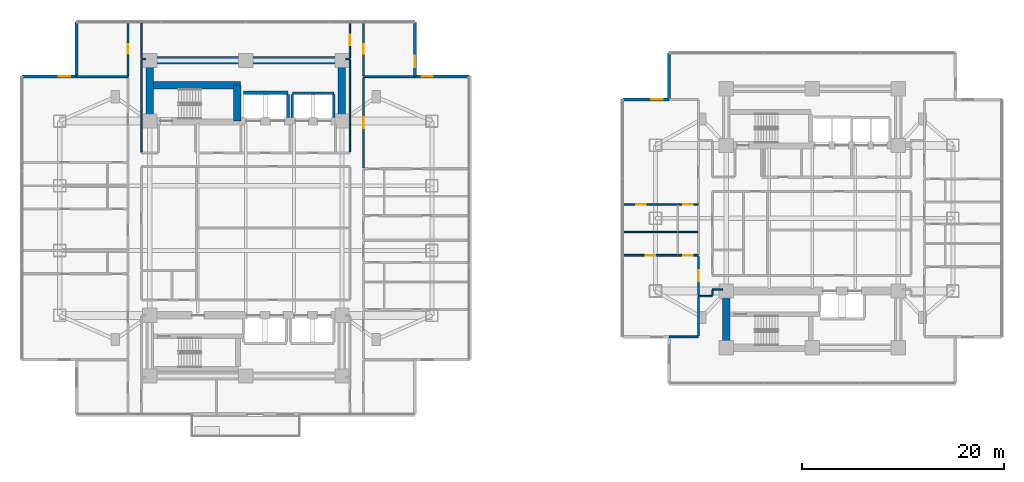
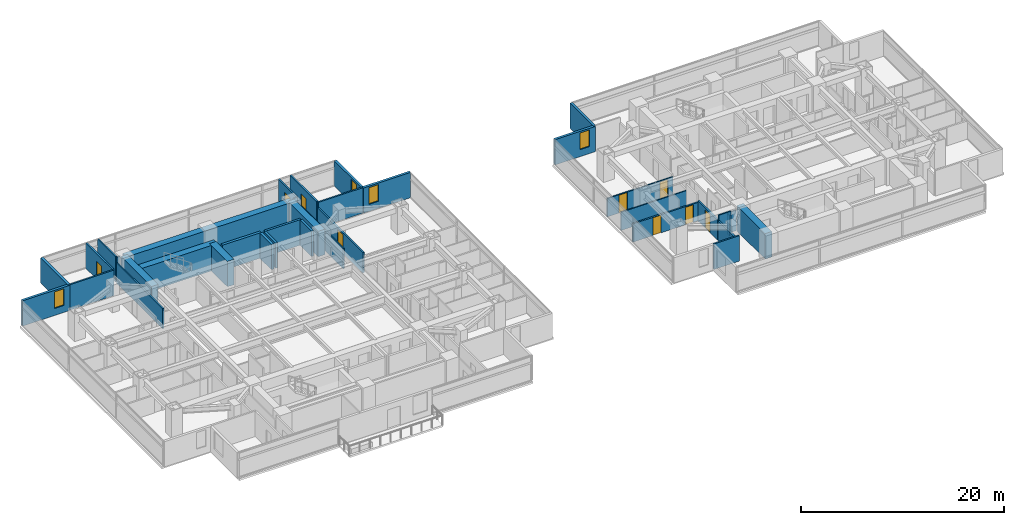
# One storey, part 16 of 25: 37 walls, 9 doors, 4 windows, 13 openings.
"""IFC4 building model written with IfcOpenShell, lengths in metres."""

from ifc_helpers import new_model, si_unit, direction, frame, frame_2d, origin, place, context, subcontext, project, spatial, rectangle, extrude, material, layer, layer_set, type_object, element, fill, save


model = new_model("IFC4")

# Units and contexts
model_context = context("Model", 3, precision=1e-05, world=origin(), true_north=direction((0.0, 1.0)))
body_context = subcontext(model_context, "Body", "Model", "MODEL_VIEW")
ifc_project = project(units=[si_unit("LENGTHUNIT", "METRE"), si_unit("AREAUNIT", "SQUARE_METRE"), si_unit("VOLUMEUNIT", "CUBIC_METRE"), si_unit("PLANEANGLEUNIT", "RADIAN"), si_unit("MASSUNIT", "GRAM", prefix="KILO")], contexts=[model_context])

# Site, building, storey
site_placement = place(None, origin())
site = spatial("IfcSite", under=ifc_project, at=site_placement, CompositionType="ELEMENT")
building_placement = place(site_placement, origin())
building = spatial("IfcBuilding", under=site, at=building_placement, Name="Mirazonda Arch Towers", CompositionType="ELEMENT")
storey_placement = place(building_placement, frame((0.0, 0.0, 35.60009765625)))
storey = spatial("IfcBuildingStorey", under=building, at=storey_placement, Name="L09", CompositionType="ELEMENT", Elevation=35.60009765625)

# Walls
ifc_material_1 = material(Name="Concrete C60/75", Category="concrete")
ifc_layer_1 = layer(ifc_material_1, 0.75, Name="WALL-CORE-750")
ifc_layer_set_1 = layer_set([ifc_layer_1], Name="Concrete C60/75")
wall_type_1 = type_object("IfcWallType", Name="WALL-CORE-750", PredefinedType="SHEAR", material=ifc_layer_set_1)
wall_1_placement = place(storey_placement, frame((11.0, 43.60009765625, 0.0), z_axis=(0.0, 0.0, 1.0), x_axis=(1.0, 0.0, 0.0)))
element("IfcWall", 1, at=wall_1_placement, inside=storey, type_object=wall_type_1, Name="L09 T1N-N Core Shear Wall", PredefinedType="SHEAR", context=body_context, shape_type="SweptSolid", body=[
    extrude(rectangle(XDim=19.0, YDim=0.75, at=frame_2d((9.5, 0.0))), origin(), (0.0, 0.0, 1.0), 3.059814453125),
])
for number, where, z_axis, x_axis, name in (
    (2, (11.0, 37.60009765625, 0.0), (0.0, 0.0, 1.0), (0.0, 1.0, 0.0), "L09 T1N-W Core Shear Wall"),
    (3, (30.0, 37.60009765625, 0.0), (0.0, 0.0, 1.0), (0.0, 1.0, 0.0), "L09 T1N-E Core Shear Wall"),
):
    element("IfcWall", number, at=place(storey_placement, frame(where, z_axis=z_axis, x_axis=x_axis)), inside=storey, type_object=wall_type_1, Name=name, PredefinedType="SHEAR", context=body_context, shape_type="SweptSolid", body=[
        extrude(rectangle(XDim=6.0, YDim=0.75, at=frame_2d((3.0, 0.0))), origin(), (0.0, 0.0, 1.0), 3.059814453125),
    ])
wall_2_placement = place(storey_placement, frame((11.0, 41.14306640625, 0.0), z_axis=(0.0, 0.0, 1.0), x_axis=(1.0, 0.0, 0.0)))
element("IfcWall", 4, at=wall_2_placement, inside=storey, type_object=wall_type_1, Name="L09 T1N-STN Core Shear Wall", PredefinedType="SHEAR", context=body_context, shape_type="SweptSolid", body=[
    extrude(rectangle(XDim=9.0, YDim=0.75, at=frame_2d((4.5, 0.0))), origin(), (0.0, 0.0, 1.0), 3.059814453125),
])
wall_3_placement = place(storey_placement, frame((19.64990234375, 37.60009765625, 0.0), z_axis=(0.0, 0.0, 1.0), x_axis=(0.0, 1.0, 0.0)))
element("IfcWall", 5, at=wall_3_placement, inside=storey, type_object=wall_type_1, Name="L09 T1N-STE Core Shear Wall", PredefinedType="SHEAR", context=body_context, shape_type="SweptSolid", body=[
    extrude(rectangle(XDim=3.54296875, YDim=0.75, at=frame_2d((1.771484375, 0.0))), origin(), (0.0, 0.0, 1.0), 3.059814453125),
])
wall_4_placement = place(storey_placement, frame((68.0, 15.199951171875, 0.0), z_axis=(0.0, 0.0, 1.0), x_axis=(0.0, 1.0, 0.0)))
element("IfcWall", 6, at=wall_4_placement, inside=storey, type_object=wall_type_1, Name="L09 T2S-W Core Shear Wall", PredefinedType="SHEAR", context=body_context, shape_type="SweptSolid", body=[
    extrude(rectangle(XDim=5.60009765625, YDim=0.75, at=frame_2d((2.800048828125, 0.0))), origin(), (0.0, 0.0, 1.0), 3.059814453125),
])

# Wall, opening, window
ifc_material_2 = material(Name="Precast Concrete C40/50", Category="concrete")
ifc_layer_2 = layer(ifc_material_2, 0.280029296875, Name="WALL-EXT-WALL-280")
ifc_layer_set_2 = layer_set([ifc_layer_2], Name="Precast Concrete C40/50")
wall_type_2 = type_object("IfcWallType", Name="WALL-EXT-WALL-280", PredefinedType="SOLIDWALL", material=ifc_layer_set_2)
wall_5_placement = place(storey_placement, frame((37.219970703125, 41.991943359375, 0.0), z_axis=(0.0, 0.0, 1.0), x_axis=(0.0, 1.0, 0.0)))
wall_5 = element("IfcWall", 7, at=wall_5_placement, inside=storey, type_object=wall_type_2, Name="L09 T1 Notched NE Corner Wall WL-L09-T1-CNE", PredefinedType="SOLIDWALL", context=body_context, shape_type="SweptSolid", body=[
    extrude(rectangle(XDim=5.380126953125, YDim=0.280029296875, at=frame_2d((2.68994140625, 0.0))), origin(), (0.0, 0.0, 1.0), 3.039794921875),
])
opening_1_placement = place(wall_5_placement, frame((0.949951171875, 0.0, 0.85009765625)))
opening_1 = element("IfcOpeningElement", 8, at=opening_1_placement, cuts=wall_5, Name="Opening WN-108", PredefinedType="OPENING", context=body_context, shape_type="SweptSolid", body=[
    extrude(rectangle(XDim=1.10009765625, YDim=2.0, at=frame_2d((0.550048828125, 1.0))), frame((0.0, 0.14990234375, 0.0), z_axis=(0.0, -1.0, 0.0), x_axis=(1.0, 0.0, 0.0)), (0.0, 0.0, 1.0), 0.300048828125),
])
ifc_material_3 = material(Name="Insulated Low-E Solar Glass", Category="glass")
window_type = type_object("IfcWindowType", Name="WIN-NOTCH-1100x2000", PartitioningType="SINGLE_PANEL", PredefinedType="WINDOW", material=ifc_material_3)
window_1_placement = place(opening_1_placement, origin())
window_1 = element("IfcWindow", 9, at=window_1_placement, inside=storey, type_object=window_type, Name="L09 Punched Facade Window WN-L09-T1-CNE", OverallHeight=2.0, OverallWidth=1.10009765625, PartitioningType="SINGLE_PANEL", PredefinedType="WINDOW", context=body_context, shape_type="SweptSolid", body=[
    extrude(rectangle(XDim=1.10009765625, YDim=2.0, at=frame_2d((0.550048828125, 1.0))), frame((0.0, 0.030029296875, 0.0), z_axis=(0.0, -1.0, 0.0), x_axis=(1.0, 0.0, 0.0)), (0.0, 0.0, 1.0), 0.06005859375),
])
fill(opening_1, window_1)

wall_6_placement = place(storey_placement, frame((3.780029296875, 41.991943359375, 0.0), z_axis=(0.0, 0.0, 1.0), x_axis=(-1.0, 0.0, 0.0)))
wall_6 = element("IfcWall", 10, at=wall_6_placement, inside=storey, type_object=wall_type_2, Name="L09 T1 Corner Notch Return Wall WL-L09-T1-CNW1", PredefinedType="SOLIDWALL", context=body_context, shape_type="SweptSolid", body=[
    extrude(rectangle(XDim=5.380126953125, YDim=0.280029296875, at=frame_2d((2.68994140625, 0.0))), origin(), (0.0, 0.0, 1.0), 3.039794921875),
])
opening_2_placement = place(wall_6_placement, frame((0.64990234375, 0.0, 0.85009765625)))
opening_2 = element("IfcOpeningElement", 11, at=opening_2_placement, cuts=wall_6, Name="Opening WN-108", PredefinedType="OPENING", context=body_context, shape_type="SweptSolid", body=[
    extrude(rectangle(XDim=1.10009765625, YDim=2.0, at=frame_2d((0.550048828125, 1.0))), frame((0.0, 0.14990234375, 0.0), z_axis=(0.0, -1.0, 0.0), x_axis=(1.0, 0.0, 0.0)), (0.0, 0.0, 1.0), 0.300048828125),
])
window_2_placement = place(opening_2_placement, origin())
window_2 = element("IfcWindow", 12, at=window_2_placement, inside=storey, type_object=window_type, Name="L09 Punched Facade Window WN-L09-T1-CNW1", OverallHeight=2.0, OverallWidth=1.10009765625, PartitioningType="SINGLE_PANEL", PredefinedType="WINDOW", context=body_context, shape_type="SweptSolid", body=[
    extrude(rectangle(XDim=1.10009765625, YDim=2.0, at=frame_2d((0.550048828125, 1.0))), frame((0.0, 0.030029296875, 0.0), z_axis=(0.0, -1.0, 0.0), x_axis=(1.0, 0.0, 0.0)), (0.0, 0.0, 1.0), 0.06005859375),
])
fill(opening_2, window_2)

# Wall
wall_7_placement = place(storey_placement, frame((3.780029296875, 47.3720703125, 0.0), z_axis=(0.0, 0.0, 1.0), x_axis=(0.0, -1.0, 0.0)))
element("IfcWall", 13, at=wall_7_placement, inside=storey, type_object=wall_type_2, Name="L09 T1 Corner Notch Return Wall WL-L09-T1-CNW2", PredefinedType="SOLIDWALL", context=body_context, shape_type="SweptSolid", body=[
    extrude(rectangle(XDim=5.380126953125, YDim=0.280029296875, at=frame_2d((2.68994140625, 0.0))), origin(), (0.0, 0.0, 1.0), 3.039794921875),
])

# Wall, opening, window
wall_8_placement = place(storey_placement, frame((42.60009765625, 41.991943359375, 0.0), z_axis=(0.0, 0.0, 1.0), x_axis=(-1.0, 0.0, 0.0)))
wall_8 = element("IfcWall", 14, at=wall_8_placement, inside=storey, type_object=wall_type_2, Name="L09 T1 Corner Notch Return Wall WL-L09-T1-CNE2", PredefinedType="SOLIDWALL", context=body_context, shape_type="SweptSolid", body=[
    extrude(rectangle(XDim=5.380126953125, YDim=0.280029296875, at=frame_2d((2.68994140625, 0.0))), origin(), (0.0, 0.0, 1.0), 3.039794921875),
])
opening_3_placement = place(wall_8_placement, frame((3.6298828125, 0.0, 0.85009765625)))
opening_3 = element("IfcOpeningElement", 15, at=opening_3_placement, cuts=wall_8, Name="Opening WN-108", PredefinedType="OPENING", context=body_context, shape_type="SweptSolid", body=[
    extrude(rectangle(XDim=1.10009765625, YDim=2.0, at=frame_2d((0.550048828125, 1.0))), frame((0.0, 0.14990234375, 0.0), z_axis=(0.0, -1.0, 0.0), x_axis=(1.0, 0.0, 0.0)), (0.0, 0.0, 1.0), 0.300048828125),
])
window_3_placement = place(opening_3_placement, origin())
window_3 = element("IfcWindow", 16, at=window_3_placement, inside=storey, type_object=window_type, Name="L09 Punched Facade Window WN-L09-T1-CNE2", OverallHeight=2.0, OverallWidth=1.10009765625, PartitioningType="SINGLE_PANEL", PredefinedType="WINDOW", context=body_context, shape_type="SweptSolid", body=[
    extrude(rectangle(XDim=1.10009765625, YDim=2.0, at=frame_2d((0.550048828125, 1.0))), frame((0.0, 0.030029296875, 0.0), z_axis=(0.0, -1.0, 0.0), x_axis=(1.0, 0.0, 0.0)), (0.0, 0.0, 1.0), 0.06005859375),
])
fill(opening_3, window_3)

wall_9_placement = place(storey_placement, frame((62.347900390625, 39.733154296875, 0.0), z_axis=(0.0, 0.0, 1.0), x_axis=(-1.0, 0.0, 0.0)))
wall_9 = element("IfcWall", 17, at=wall_9_placement, inside=storey, type_object=wall_type_2, Name="L09 T2 Corner Notch Return Wall WL-L09-T2-CNW1", PredefinedType="SOLIDWALL", context=body_context, shape_type="SweptSolid", body=[
    extrude(rectangle(XDim=4.579833984375, YDim=0.280029296875, at=frame_2d((2.2900390625, 0.0))), origin(), (0.0, 0.0, 1.0), 3.039794921875),
])
opening_4_placement = place(wall_9_placement, frame((0.64990234375, 0.0, 0.85009765625)))
opening_4 = element("IfcOpeningElement", 18, at=opening_4_placement, cuts=wall_9, Name="Opening WN-108", PredefinedType="OPENING", context=body_context, shape_type="SweptSolid", body=[
    extrude(rectangle(XDim=1.10009765625, YDim=2.0, at=frame_2d((0.550048828125, 1.0))), frame((0.0, 0.14990234375, 0.0), z_axis=(0.0, -1.0, 0.0), x_axis=(1.0, 0.0, 0.0)), (0.0, 0.0, 1.0), 0.300048828125),
])
window_4_placement = place(opening_4_placement, origin())
window_4 = element("IfcWindow", 19, at=window_4_placement, inside=storey, type_object=window_type, Name="L09 Punched Facade Window WN-L09-T2-CNW1", OverallHeight=2.0, OverallWidth=1.10009765625, PartitioningType="SINGLE_PANEL", PredefinedType="WINDOW", context=body_context, shape_type="SweptSolid", body=[
    extrude(rectangle(XDim=1.10009765625, YDim=2.0, at=frame_2d((0.550048828125, 1.0))), frame((0.0, 0.030029296875, 0.0), z_axis=(0.0, -1.0, 0.0), x_axis=(1.0, 0.0, 0.0)), (0.0, 0.0, 1.0), 0.06005859375),
])
fill(opening_4, window_4)

# Walls
wall_10_placement = place(storey_placement, frame((62.347900390625, 44.313232421875, 0.0), z_axis=(0.0, 0.0, 1.0), x_axis=(0.0, -1.0, 0.0)))
element("IfcWall", 20, at=wall_10_placement, inside=storey, type_object=wall_type_2, Name="L09 T2 Corner Notch Return Wall WL-L09-T2-CNW2", PredefinedType="SOLIDWALL", context=body_context, shape_type="SweptSolid", body=[
    extrude(rectangle(XDim=4.580078125, YDim=0.280029296875, at=frame_2d((2.2900390625, 0.0))), origin(), (0.0, 0.0, 1.0), 3.039794921875),
])
ifc_material_4 = material(Name="Fire-Rated Gypsum Stud Partition")
ifc_layer_3 = layer(ifc_material_4, 0.14990234375, Name="WALL-PART-CORR-150")
ifc_layer_set_3 = layer_set([ifc_layer_3], Name="Fire-Rated Gypsum Stud Partition")
wall_type_3 = type_object("IfcWallType", Name="WALL-PART-CORR-150", PredefinedType="PARTITIONING", material=ifc_layer_set_3)
wall_11_placement = place(storey_placement, frame((65.25, 20.300048828125, 0.0), z_axis=(0.0, 0.0, 1.0), x_axis=(1.0, 0.0, 0.0)))
element("IfcWall", 21, at=wall_11_placement, inside=storey, type_object=wall_type_3, Name="L09 Interior Partition 017", PredefinedType="PARTITIONING", context=body_context, shape_type="SweptSolid", body=[
    extrude(rectangle(XDim=1.3701171875, YDim=0.14990234375, at=frame_2d((0.68505859375, 0.0))), origin(), (0.0, 0.0, 1.0), 3.059814453125),
])
wall_12_placement = place(storey_placement, frame((66.6201171875, 20.949951171875, 0.0), z_axis=(0.0, 0.0, 1.0), x_axis=(1.0, 0.0, 0.0)))
element("IfcWall", 22, at=wall_12_placement, inside=storey, type_object=wall_type_3, Name="L09 Interior Partition 019", PredefinedType="PARTITIONING", context=body_context, shape_type="SweptSolid", body=[
    extrude(rectangle(XDim=1.009765625, YDim=0.14990234375, at=frame_2d((0.5048828125, 0.0))), origin(), (0.0, 0.0, 1.0), 2.451904296875),
])

# Wall, openings, doors
wall_13_placement = place(storey_placement, frame((57.76806640625, 29.35205078125, 0.0), z_axis=(0.0, 0.0, 1.0), x_axis=(1.0, 0.0, 0.0)))
wall_13 = element("IfcWall", 23, at=wall_13_placement, inside=storey, type_object=wall_type_3, Name="L09 Interior Partition 038", PredefinedType="PARTITIONING", context=body_context, shape_type="SweptSolid", body=[
    extrude(rectangle(XDim=7.48193359375, YDim=0.14990234375, at=frame_2d((3.740966796875, 0.0))), origin(), (0.0, 0.0, 1.0), 2.19580078125),
])
opening_5_placement = place(wall_13_placement, frame((1.31591796875, 0.0, 0.0)))
opening_5 = element("IfcOpeningElement", 24, at=opening_5_placement, cuts=wall_13, Name="Opening DR-104", PredefinedType="OPENING", context=body_context, shape_type="SweptSolid", body=[
    extrude(rectangle(XDim=0.949951171875, YDim=2.14990234375, at=frame_2d((0.47509765625, 1.074951171875))), frame((0.0, 0.0849609375, 0.0), z_axis=(0.0, -1.0, 0.0), x_axis=(1.0, 0.0, 0.0)), (0.0, 0.0, 1.0), 0.169921875),
])
opening_6_placement = place(wall_13_placement, frame((5.991943359375, 0.0, 0.0)))
opening_6 = element("IfcOpeningElement", 25, at=opening_6_placement, cuts=wall_13, Name="Opening DR-120", PredefinedType="OPENING", context=body_context, shape_type="SweptSolid", body=[
    extrude(rectangle(XDim=0.89990234375, YDim=2.10009765625, at=frame_2d((0.449951171875, 1.050048828125))), frame((0.0, 0.0849609375, 0.0), z_axis=(0.0, -1.0, 0.0), x_axis=(1.0, 0.0, 0.0)), (0.0, 0.0, 1.0), 0.169921875),
])
ifc_material_5 = material(Name="Architectural Brushed Steel S355", Category="steel")
door_type_1 = type_object("IfcDoorType", Name="DOOR-ROOM-950", OperationType="NOTDEFINED", PredefinedType="DOOR", material=ifc_material_5)
door_1_placement = place(opening_5_placement, origin())
door_1 = element("IfcDoor", 26, at=door_1_placement, inside=storey, type_object=door_type_1, Name="L09 Suite Bedroom 2 Door", OperationType="SINGLE_SWING_LEFT", OverallHeight=2.14990234375, OverallWidth=0.949951171875, PredefinedType="DOOR", context=body_context, shape_type="SweptSolid", body=[
    extrude(rectangle(XDim=0.949951171875, YDim=2.14990234375, at=frame_2d((0.47509765625, 1.074951171875))), frame((0.0, 0.02490234375, 0.0), z_axis=(0.0, -1.0, 0.0), x_axis=(1.0, 0.0, 0.0)), (0.0, 0.0, 1.0), 0.050048828125),
])
fill(opening_5, door_1)
door_type_2 = type_object("IfcDoorType", Name="DOOR-WC-900", OperationType="NOTDEFINED", PredefinedType="DOOR", material=ifc_material_5)
door_2_placement = place(opening_6_placement, origin())
door_2 = element("IfcDoor", 27, at=door_2_placement, inside=storey, type_object=door_type_2, Name="L09 Suite En-Suite Bathroom 2 Door", OperationType="SINGLE_SWING_RIGHT", OverallHeight=2.10009765625, OverallWidth=0.89990234375, PredefinedType="DOOR", context=body_context, shape_type="SweptSolid", body=[
    extrude(rectangle(XDim=0.89990234375, YDim=2.10009765625, at=frame_2d((0.449951171875, 1.050048828125))), frame((0.0, 0.02490234375, 0.0), z_axis=(0.0, -1.0, 0.0), x_axis=(1.0, 0.0, 0.0)), (0.0, 0.0, 1.0), 0.050048828125),
])
fill(opening_6, door_2)

# Walls
for number, where, z_axis, x_axis, name in (
    (28, (10.199951171875, 43.75, 0.0), (0.0, 0.0, 1.0), (1.0, 0.0, 0.0), "L09 Interior Partition 063"),
    (29, (30.3701171875, 43.75, 0.0), (0.0, 0.0, 1.0), (1.0, 0.0, 0.0), "L09 Interior Partition 064"),
):
    element("IfcWall", number, at=place(storey_placement, frame(where, z_axis=z_axis, x_axis=x_axis)), inside=storey, type_object=wall_type_3, Name=name, PredefinedType="PARTITIONING", context=body_context, shape_type="SweptSolid", body=[
        extrude(rectangle(XDim=0.429931640625, YDim=0.14990234375, at=frame_2d((0.21484375, 0.0))), origin(), (0.0, 0.0, 1.0), 3.059814453125),
    ])
wall_14_placement = place(storey_placement, frame((10.199951171875, 34.534912109375, 0.0), z_axis=(0.0, 0.0, 1.0), x_axis=(0.0, 1.0, 0.0)))
element("IfcWall", 30, at=wall_14_placement, inside=storey, type_object=wall_type_3, Name="L09 Interior Partition 080", PredefinedType="PARTITIONING", context=body_context, shape_type="SweptSolid", body=[
    extrude(rectangle(XDim=9.130126953125, YDim=0.14990234375, at=frame_2d((4.56494140625, 0.0))), origin(), (0.0, 0.0, 1.0), 2.435791015625),
])
wall_15_placement = place(storey_placement, frame((10.199951171875, 43.8349609375, 0.0), z_axis=(0.0, 0.0, 1.0), x_axis=(0.0, 1.0, 0.0)))
element("IfcWall", 31, at=wall_15_placement, inside=storey, type_object=wall_type_3, Name="L09 Interior Partition 081", PredefinedType="PARTITIONING", context=body_context, shape_type="SweptSolid", body=[
    extrude(rectangle(XDim=3.537109375, YDim=0.14990234375, at=frame_2d((1.7685546875, 0.0))), origin(), (0.0, 0.0, 1.0), 3.059814453125),
])
wall_16_placement = place(storey_placement, frame((30.800048828125, 34.570068359375, 0.0), z_axis=(0.0, 0.0, 1.0), x_axis=(0.0, 1.0, 0.0)))
element("IfcWall", 32, at=wall_16_placement, inside=storey, type_object=wall_type_3, Name="L09 Interior Partition 105", PredefinedType="PARTITIONING", context=body_context, shape_type="SweptSolid", body=[
    extrude(rectangle(XDim=9.094970703125, YDim=0.14990234375, at=frame_2d((4.54736328125, 0.0))), origin(), (0.0, 0.0, 1.0), 2.435791015625),
])

# Wall, opening, door
wall_17_placement = place(storey_placement, frame((30.800048828125, 43.8349609375, 0.0), z_axis=(0.0, 0.0, 1.0), x_axis=(0.0, 1.0, 0.0)))
wall_17 = element("IfcWall", 33, at=wall_17_placement, inside=storey, type_object=wall_type_3, Name="L09 Interior Partition 106", PredefinedType="PARTITIONING", context=body_context, shape_type="SweptSolid", body=[
    extrude(rectangle(XDim=3.537109375, YDim=0.14990234375, at=frame_2d((1.7685546875, 0.0))), origin(), (0.0, 0.0, 1.0), 3.059814453125),
])
opening_7_placement = place(wall_17_placement, frame((1.243408203125, 0.0, 0.0)))
opening_7 = element("IfcOpeningElement", 34, at=opening_7_placement, cuts=wall_17, Name="Opening DR-121", PredefinedType="OPENING", context=body_context, shape_type="SweptSolid", body=[
    extrude(rectangle(XDim=1.050048828125, YDim=2.199951171875, at=frame_2d((0.52490234375, 1.10009765625))), frame((0.0, 0.0849609375, 0.0), z_axis=(0.0, -1.0, 0.0), x_axis=(1.0, 0.0, 0.0)), (0.0, 0.0, 1.0), 0.169921875),
])
door_type_3 = type_object("IfcDoorType", Name="DOOR-SUITE-FD60-1050", OperationType="NOTDEFINED", PredefinedType="DOOR", material=ifc_material_5)
door_3_placement = place(opening_7_placement, origin())
door_3 = element("IfcDoor", 35, at=door_3_placement, inside=storey, type_object=door_type_3, Name="L09 North Reading Salon Suite Door", OperationType="SINGLE_SWING_RIGHT", OverallHeight=2.199951171875, OverallWidth=1.050048828125, PredefinedType="DOOR", context=body_context, shape_type="SweptSolid", body=[
    extrude(rectangle(XDim=1.050048828125, YDim=2.199951171875, at=frame_2d((0.52490234375, 1.10009765625))), frame((0.0, 0.02490234375, 0.0), z_axis=(0.0, -1.0, 0.0), x_axis=(1.0, 0.0, 0.0)), (0.0, 0.0, 1.0), 0.050048828125),
])
fill(opening_7, door_3)

# Walls
wall_18_placement = place(storey_placement, frame((66.6201171875, 20.385009765625, 0.0), z_axis=(0.0, 0.0, 1.0), x_axis=(0.0, 1.0, 0.0)))
element("IfcWall", 36, at=wall_18_placement, inside=storey, type_object=wall_type_3, Name="L09 Interior Partition 129", PredefinedType="PARTITIONING", context=body_context, shape_type="SweptSolid", body=[
    extrude(rectangle(XDim=0.47998046875, YDim=0.14990234375, at=frame_2d((0.239990234375, 0.0))), origin(), (0.0, 0.0, 1.0), 2.451904296875),
])
ifc_material_6 = material(Name="Fire-Rated Gypsum Twin-Stud Assembly")
ifc_layer_4 = layer(ifc_material_6, 0.179931640625, Name="WALL-PART-DEMISE-180")
ifc_layer_set_4 = layer_set([ifc_layer_4], Name="Fire-Rated Gypsum Twin-Stud Assembly")
wall_type_4 = type_object("IfcWallType", Name="WALL-PART-DEMISE-180", PredefinedType="PARTITIONING", material=ifc_layer_set_4)
wall_19_placement = place(storey_placement, frame((62.367919921875, 16.26708984375, 0.0), z_axis=(0.0, 0.0, 1.0), x_axis=(1.0, 0.0, 0.0)))
element("IfcWall", 37, at=wall_19_placement, inside=storey, type_object=wall_type_4, Name="L09 Interior Partition 009", PredefinedType="PARTITIONING", context=body_context, shape_type="SweptSolid", body=[
    extrude(rectangle(XDim=2.882080078125, YDim=0.179931640625, at=frame_2d((1.44091796875, 0.0))), origin(), (0.0, 0.0, 1.0), 3.059814453125),
])

# Wall, openings, doors
wall_20_placement = place(storey_placement, frame((57.76806640625, 24.33203125, 0.0), z_axis=(0.0, 0.0, 1.0), x_axis=(1.0, 0.0, 0.0)))
wall_20 = element("IfcWall", 38, at=wall_20_placement, inside=storey, type_object=wall_type_4, Name="L09 Interior Partition 027", PredefinedType="PARTITIONING", context=body_context, shape_type="SweptSolid", body=[
    extrude(rectangle(XDim=7.48193359375, YDim=0.179931640625, at=frame_2d((3.740966796875, 0.0))), origin(), (0.0, 0.0, 1.0), 2.19580078125),
])
opening_8_placement = place(wall_20_placement, frame((2.26611328125, 0.0, 0.0)))
opening_8 = element("IfcOpeningElement", 39, at=opening_8_placement, cuts=wall_20, Name="Opening DR-104", PredefinedType="OPENING", context=body_context, shape_type="SweptSolid", body=[
    extrude(rectangle(XDim=0.949951171875, YDim=2.14990234375, at=frame_2d((0.47509765625, 1.074951171875))), frame((0.0, 0.099853515625, 0.0), z_axis=(0.0, -1.0, 0.0), x_axis=(1.0, 0.0, 0.0)), (0.0, 0.0, 1.0), 0.199951171875),
])
opening_9_placement = place(wall_20_placement, frame((5.991943359375, 0.0, 0.0)))
opening_9 = element("IfcOpeningElement", 40, at=opening_9_placement, cuts=wall_20, Name="Opening DR-120", PredefinedType="OPENING", context=body_context, shape_type="SweptSolid", body=[
    extrude(rectangle(XDim=0.89990234375, YDim=2.10009765625, at=frame_2d((0.449951171875, 1.050048828125))), frame((0.0, 0.099853515625, 0.0), z_axis=(0.0, -1.0, 0.0), x_axis=(1.0, 0.0, 0.0)), (0.0, 0.0, 1.0), 0.199951171875),
])
door_4_placement = place(opening_8_placement, origin())
door_4 = element("IfcDoor", 41, at=door_4_placement, inside=storey, type_object=door_type_1, Name="L09 Suite Bedroom 1 Door", OperationType="SINGLE_SWING_RIGHT", OverallHeight=2.14990234375, OverallWidth=0.949951171875, PredefinedType="DOOR", context=body_context, shape_type="SweptSolid", body=[
    extrude(rectangle(XDim=0.949951171875, YDim=2.14990234375, at=frame_2d((0.47509765625, 1.074951171875))), frame((0.0, 0.02490234375, 0.0), z_axis=(0.0, -1.0, 0.0), x_axis=(1.0, 0.0, 0.0)), (0.0, 0.0, 1.0), 0.050048828125),
])
fill(opening_8, door_4)
door_5_placement = place(opening_9_placement, origin())
door_5 = element("IfcDoor", 42, at=door_5_placement, inside=storey, type_object=door_type_2, Name="L09 Suite En-Suite Bathroom 1 Door", OperationType="SINGLE_SWING_LEFT", OverallHeight=2.10009765625, OverallWidth=0.89990234375, PredefinedType="DOOR", context=body_context, shape_type="SweptSolid", body=[
    extrude(rectangle(XDim=0.89990234375, YDim=2.10009765625, at=frame_2d((0.449951171875, 1.050048828125))), frame((0.0, 0.02490234375, 0.0), z_axis=(0.0, -1.0, 0.0), x_axis=(1.0, 0.0, 0.0)), (0.0, 0.0, 1.0), 0.050048828125),
])
fill(opening_9, door_5)

# Walls
for number, where, z_axis, x_axis, name in (
    (43, (3.800048828125, 41.991943359375, 0.0), (0.0, 0.0, 1.0), (1.0, 0.0, 0.0), "L09 Interior Partition 061"),
    (44, (32.139892578125, 41.991943359375, 0.0), (0.0, 0.0, 1.0), (1.0, 0.0, 0.0), "L09 Interior Partition 062"),
):
    element("IfcWall", number, at=place(storey_placement, frame(where, z_axis=z_axis, x_axis=x_axis)), inside=storey, type_object=wall_type_4, Name=name, PredefinedType="PARTITIONING", context=body_context, shape_type="SweptSolid", body=[
        extrude(rectangle(XDim=5.06005859375, YDim=0.179931640625, at=frame_2d((2.530029296875, 0.0))), origin(), (0.0, 0.0, 1.0), 3.059814453125),
    ])

# Wall, opening, door
wall_21_placement = place(storey_placement, frame((8.860107421875, 42.092041015625, 0.0), z_axis=(0.0, 0.0, 1.0), x_axis=(0.0, 1.0, 0.0)))
wall_21 = element("IfcWall", 45, at=wall_21_placement, inside=storey, type_object=wall_type_4, Name="L09 Interior Partition 075", PredefinedType="PARTITIONING", context=body_context, shape_type="SweptSolid", body=[
    extrude(rectangle(XDim=5.280029296875, YDim=0.179931640625, at=frame_2d((2.64013671875, 0.0))), origin(), (0.0, 0.0, 1.0), 3.059814453125),
])
opening_10_placement = place(wall_21_placement, frame((2.1650390625, 0.0, 0.0)))
opening_10 = element("IfcOpeningElement", 46, at=opening_10_placement, cuts=wall_21, Name="Opening DR-104", PredefinedType="OPENING", context=body_context, shape_type="SweptSolid", body=[
    extrude(rectangle(XDim=0.949951171875, YDim=2.14990234375, at=frame_2d((0.47509765625, 1.074951171875))), frame((0.0, 0.099853515625, 0.0), z_axis=(0.0, -1.0, 0.0), x_axis=(1.0, 0.0, 0.0)), (0.0, 0.0, 1.0), 0.199951171875),
])
door_6_placement = place(opening_10_placement, origin())
door_6 = element("IfcDoor", 47, at=door_6_placement, inside=storey, type_object=door_type_1, Name="L09 North Reading Salon Alcove West Door", OperationType="SINGLE_SWING_LEFT", OverallHeight=2.14990234375, OverallWidth=0.949951171875, PredefinedType="DOOR", context=body_context, shape_type="SweptSolid", body=[
    extrude(rectangle(XDim=0.949951171875, YDim=2.14990234375, at=frame_2d((0.47509765625, 1.074951171875))), frame((0.0, 0.02490234375, 0.0), z_axis=(0.0, -1.0, 0.0), x_axis=(1.0, 0.0, 0.0)), (0.0, 0.0, 1.0), 0.050048828125),
])
fill(opening_10, door_6)

wall_22_placement = place(storey_placement, frame((32.139892578125, 32.985107421875, 0.0), z_axis=(0.0, 0.0, 1.0), x_axis=(0.0, 1.0, 0.0)))
wall_22 = element("IfcWall", 48, at=wall_22_placement, inside=storey, type_object=wall_type_4, Name="L09 Interior Partition 115", PredefinedType="PARTITIONING", context=body_context, shape_type="SweptSolid", body=[
    extrude(rectangle(XDim=8.906982421875, YDim=0.179931640625, at=frame_2d((4.45361328125, 0.0))), origin(), (0.0, 0.0, 1.0), 2.435791015625),
])
opening_11_placement = place(wall_22_placement, frame((3.928466796875, 0.0, 0.0)))
opening_11 = element("IfcOpeningElement", 49, at=opening_11_placement, cuts=wall_22, Name="Opening DR-121", PredefinedType="OPENING", context=body_context, shape_type="SweptSolid", body=[
    extrude(rectangle(XDim=1.050048828125, YDim=2.199951171875, at=frame_2d((0.52490234375, 1.10009765625))), frame((0.0, 0.099853515625, 0.0), z_axis=(0.0, -1.0, 0.0), x_axis=(1.0, 0.0, 0.0)), (0.0, 0.0, 1.0), 0.199951171875),
])
door_7_placement = place(opening_11_placement, origin())
door_7 = element("IfcDoor", 50, at=door_7_placement, inside=storey, type_object=door_type_3, Name="L09 Presidential Hotel Suite 4 Door", OperationType="SINGLE_SWING_LEFT", OverallHeight=2.199951171875, OverallWidth=1.050048828125, PredefinedType="DOOR", context=body_context, shape_type="SweptSolid", body=[
    extrude(rectangle(XDim=1.050048828125, YDim=2.199951171875, at=frame_2d((0.52490234375, 1.10009765625))), frame((0.0, 0.02490234375, 0.0), z_axis=(0.0, -1.0, 0.0), x_axis=(1.0, 0.0, 0.0)), (0.0, 0.0, 1.0), 0.050048828125),
])
fill(opening_11, door_7)

wall_23_placement = place(storey_placement, frame((32.139892578125, 42.092041015625, 0.0), z_axis=(0.0, 0.0, 1.0), x_axis=(0.0, 1.0, 0.0)))
wall_23 = element("IfcWall", 51, at=wall_23_placement, inside=storey, type_object=wall_type_4, Name="L09 Interior Partition 116", PredefinedType="PARTITIONING", context=body_context, shape_type="SweptSolid", body=[
    extrude(rectangle(XDim=5.280029296875, YDim=0.179931640625, at=frame_2d((2.64013671875, 0.0))), origin(), (0.0, 0.0, 1.0), 3.059814453125),
])
opening_12_placement = place(wall_23_placement, frame((2.1650390625, 0.0, 0.0)))
opening_12 = element("IfcOpeningElement", 52, at=opening_12_placement, cuts=wall_23, Name="Opening DR-104", PredefinedType="OPENING", context=body_context, shape_type="SweptSolid", body=[
    extrude(rectangle(XDim=0.949951171875, YDim=2.14990234375, at=frame_2d((0.47509765625, 1.074951171875))), frame((0.0, 0.099853515625, 0.0), z_axis=(0.0, -1.0, 0.0), x_axis=(1.0, 0.0, 0.0)), (0.0, 0.0, 1.0), 0.199951171875),
])
door_8_placement = place(opening_12_placement, origin())
door_8 = element("IfcDoor", 53, at=door_8_placement, inside=storey, type_object=door_type_1, Name="L09 North Reading Salon Alcove East Door", OperationType="SINGLE_SWING_RIGHT", OverallHeight=2.14990234375, OverallWidth=0.949951171875, PredefinedType="DOOR", context=body_context, shape_type="SweptSolid", body=[
    extrude(rectangle(XDim=0.949951171875, YDim=2.14990234375, at=frame_2d((0.47509765625, 1.074951171875))), frame((0.0, 0.02490234375, 0.0), z_axis=(0.0, -1.0, 0.0), x_axis=(1.0, 0.0, 0.0)), (0.0, 0.0, 1.0), 0.050048828125),
])
fill(opening_12, door_8)

# Wall
wall_24_placement = place(storey_placement, frame((65.25, 16.366943359375, 0.0), z_axis=(0.0, 0.0, 1.0), x_axis=(0.0, 1.0, 0.0)))
element("IfcWall", 54, at=wall_24_placement, inside=storey, type_object=wall_type_4, Name="L09 Interior Partition 123", PredefinedType="PARTITIONING", context=body_context, shape_type="SweptSolid", body=[
    extrude(rectangle(XDim=3.84814453125, YDim=0.179931640625, at=frame_2d((1.924072265625, 0.0))), origin(), (0.0, 0.0, 1.0), 2.435791015625),
])

# Wall, opening, door
wall_25_placement = place(storey_placement, frame((65.25, 20.385009765625, 0.0), z_axis=(0.0, 0.0, 1.0), x_axis=(0.0, 1.0, 0.0)))
wall_25 = element("IfcWall", 55, at=wall_25_placement, inside=storey, type_object=wall_type_4, Name="L09 Interior Partition 124", PredefinedType="PARTITIONING", context=body_context, shape_type="SweptSolid", body=[
    extrude(rectangle(XDim=3.846923828125, YDim=0.179931640625, at=frame_2d((1.92333984375, 0.0))), origin(), (0.0, 0.0, 1.0), 2.451904296875),
])
opening_13_placement = place(wall_25_placement, frame((1.3984375, 0.0, 0.0)))
opening_13 = element("IfcOpeningElement", 56, at=opening_13_placement, cuts=wall_25, Name="Opening DR-121", PredefinedType="OPENING", context=body_context, shape_type="SweptSolid", body=[
    extrude(rectangle(XDim=1.050048828125, YDim=2.199951171875, at=frame_2d((0.52490234375, 1.10009765625))), frame((0.0, 0.099853515625, 0.0), z_axis=(0.0, -1.0, 0.0), x_axis=(1.0, 0.0, 0.0)), (0.0, 0.0, 1.0), 0.199951171875),
])
door_9_placement = place(opening_13_placement, origin())
door_9 = element("IfcDoor", 57, at=door_9_placement, inside=storey, type_object=door_type_3, Name="L09 Panoramic Suite Salon 1 Door", OperationType="SINGLE_SWING_LEFT", OverallHeight=2.199951171875, OverallWidth=1.050048828125, PredefinedType="DOOR", context=body_context, shape_type="SweptSolid", body=[
    extrude(rectangle(XDim=1.050048828125, YDim=2.199951171875, at=frame_2d((0.52490234375, 1.10009765625))), frame((0.0, 0.02490234375, 0.0), z_axis=(0.0, -1.0, 0.0), x_axis=(1.0, 0.0, 0.0)), (0.0, 0.0, 1.0), 0.050048828125),
])
fill(opening_13, door_9)

# Walls
ifc_material_7 = material(Name="Acoustic Fire-Rated Gypsum Partition")
ifc_layer_5 = layer(ifc_material_7, 0.125, Name="WALL-PART-UNIT-125")
ifc_layer_set_5 = layer_set([ifc_layer_5], Name="Acoustic Fire-Rated Gypsum Partition")
wall_type_5 = type_object("IfcWallType", Name="WALL-PART-UNIT-125", PredefinedType="PARTITIONING", material=ifc_layer_set_5)
wall_26_placement = place(storey_placement, frame((57.76806640625, 26.632080078125, 0.0), z_axis=(0.0, 0.0, 1.0), x_axis=(1.0, 0.0, 0.0)))
element("IfcWall", 58, at=wall_26_placement, inside=storey, type_object=wall_type_5, Name="L09 Interior Partition 032", PredefinedType="PARTITIONING", context=body_context, shape_type="SweptSolid", body=[
    extrude(rectangle(XDim=7.48193359375, YDim=0.125, at=frame_2d((3.740966796875, 0.0))), origin(), (0.0, 0.0, 1.0), 2.19580078125),
])
ifc_material_8 = material(Name="Concrete C40/50", Category="concrete")
ifc_layer_6 = layer(ifc_material_8, 0.25, Name="WALL-SHAFT-250")
ifc_layer_set_6 = layer_set([ifc_layer_6], Name="Concrete C40/50")
wall_type_6 = type_object("IfcWallType", Name="WALL-SHAFT-250", PredefinedType="SOLIDWALL", material=ifc_layer_set_6)
wall_27_placement = place(storey_placement, frame((25.10009765625, 40.35009765625, 0.0), z_axis=(0.0, 0.0, 1.0), x_axis=(1.0, 0.0, 0.0)))
element("IfcWall", 59, at=wall_27_placement, inside=storey, type_object=wall_type_6, Name="L09 Interior Partition 059", PredefinedType="SOLIDWALL", context=body_context, shape_type="SweptSolid", body=[
    extrude(rectangle(XDim=4.099853515625, YDim=0.25, at=frame_2d((2.0498046875, 0.0))), origin(), (0.0, 0.0, 1.0), 3.059814453125),
])
for number, where, z_axis, x_axis, name in (
    (60, (25.10009765625, 37.969970703125, 0.0), (0.0, 0.0, 1.0), (0.0, 1.0, 0.0), "L09 Interior Partition 097"),
    (61, (29.199951171875, 37.969970703125, 0.0), (0.0, 0.0, 1.0), (0.0, 1.0, 0.0), "L09 Interior Partition 100"),
):
    element("IfcWall", number, at=place(storey_placement, frame(where, z_axis=z_axis, x_axis=x_axis)), inside=storey, type_object=wall_type_6, Name=name, PredefinedType="SOLIDWALL", context=body_context, shape_type="SweptSolid", body=[
        extrude(rectangle(XDim=2.2451171875, YDim=0.25, at=frame_2d((1.12255859375, 0.0))), origin(), (0.0, 0.0, 1.0), 3.059814453125),
    ])
ifc_material_9 = material(Name="Concrete C50/60", Category="concrete")
ifc_layer_7 = layer(ifc_material_9, 0.300048828125, Name="WALL-SHAFT-300")
ifc_layer_set_7 = layer_set([ifc_layer_7], Name="Concrete C50/60")
wall_type_7 = type_object("IfcWallType", Name="WALL-SHAFT-300", PredefinedType="SOLIDWALL", material=ifc_layer_set_7)
wall_28_placement = place(storey_placement, frame((20.25, 40.39990234375, 0.0), z_axis=(0.0, 0.0, 1.0), x_axis=(1.0, 0.0, 0.0)))
element("IfcWall", 62, at=wall_28_placement, inside=storey, type_object=wall_type_7, Name="L09 Interior Partition 060", PredefinedType="SOLIDWALL", context=body_context, shape_type="SweptSolid", body=[
    extrude(rectangle(XDim=4.39990234375, YDim=0.300048828125, at=frame_2d((2.199951171875, 0.0))), origin(), (0.0, 0.0, 1.0), 3.059814453125),
])
wall_29_placement = place(storey_placement, frame((24.64990234375, 37.969970703125, 0.0), z_axis=(0.0, 0.0, 1.0), x_axis=(0.0, 1.0, 0.0)))
element("IfcWall", 63, at=wall_29_placement, inside=storey, type_object=wall_type_7, Name="L09 Interior Partition 094", PredefinedType="SOLIDWALL", context=body_context, shape_type="SweptSolid", body=[
    extrude(rectangle(XDim=2.27001953125, YDim=0.300048828125, at=frame_2d((1.135009765625, 0.0))), origin(), (0.0, 0.0, 1.0), 3.059814453125),
])

save(model, "model.ifc")
